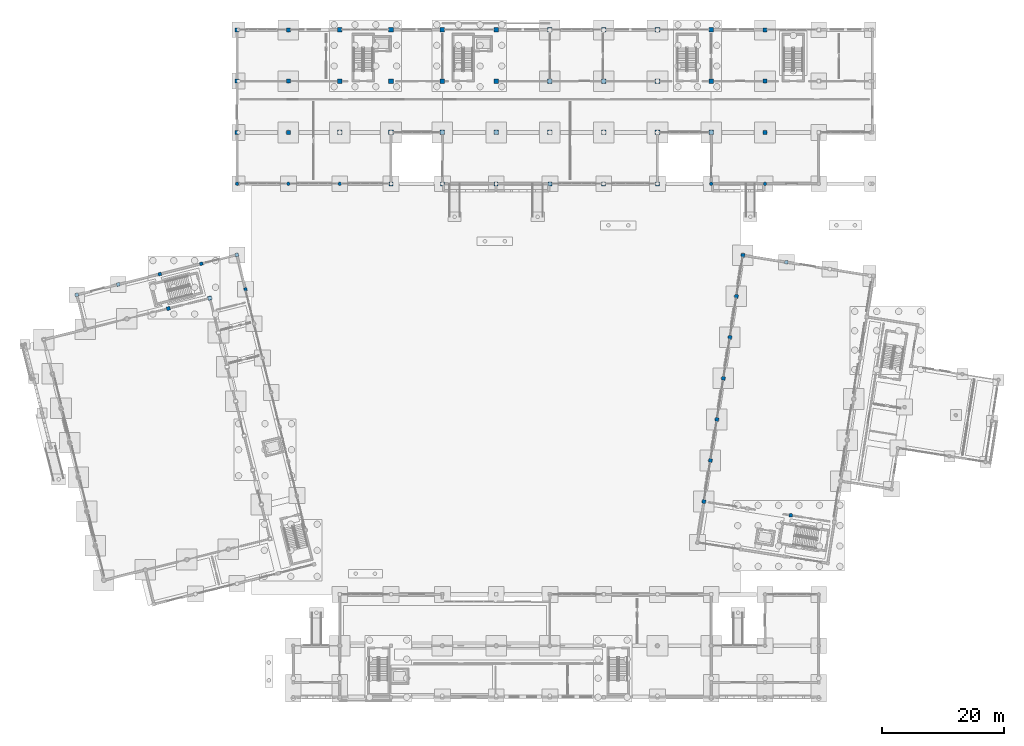
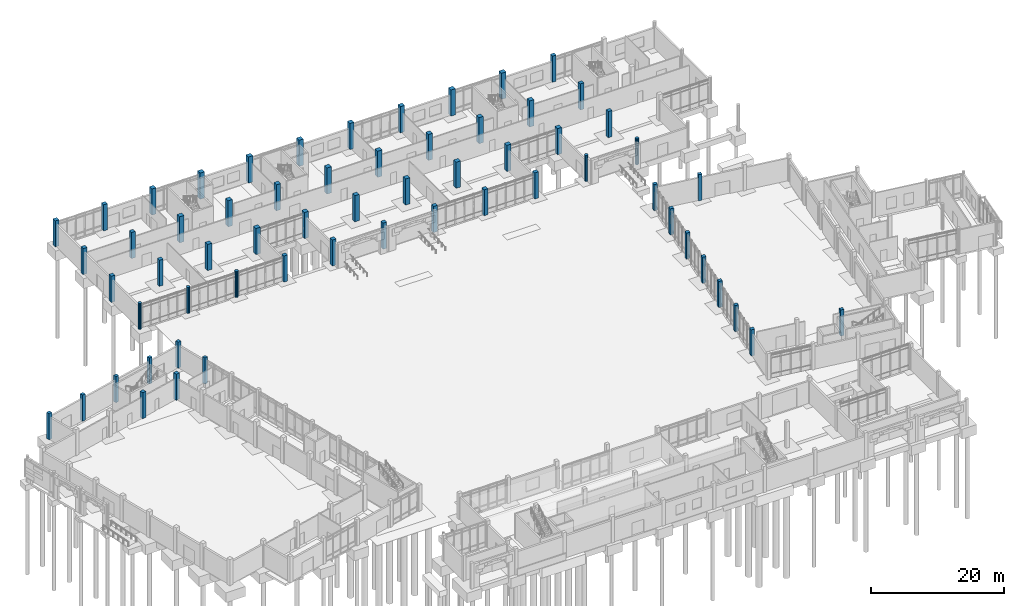
# One storey, part 6 of 72: 61 columns.
"""IFC4 building model written with IfcOpenShell, lengths in metres."""

import ifcopenshell
import ifcopenshell.guid

model = None  # the IFC model being written
_history = None  # IfcOwnerHistory: only IFC2X3 demands one
_inside = {}  # id of a spatial element -> (the spatial element, [elements in it])
_under = {}  # id of a project, library or spatial element -> (it, [spatial elements below it])
_declared = {}  # id of a project -> (the project, [libraries it declares])
_typed = {}  # id of a type object -> (the type object, [elements of that type])
_made_of = {}  # id of a material, layer set ... -> (it, [elements and type objects made of it])


def new_model(schema):
    """Start an empty IFC model of exactly this schema.

    Asked for "IFC4X3", IfcOpenShell would pick the latest addendum, in which some entities
    have other attributes; the version numbers below select the first issue.
    IFC2X3 requires an IfcOwnerHistory on every rooted entity: one is made here for all.
    """
    global model, _history
    if schema == "IFC4X3":
        model = ifcopenshell.file(schema_version=(4, 3, 0, 0))
    else:
        model = ifcopenshell.file(schema=schema)
    _inside.clear()
    _under.clear()
    _declared.clear()
    _typed.clear()
    _made_of.clear()
    _history = None
    if model.schema == "IFC2X3":
        org = make("IfcOrganization", Name="unknown")
        user = make(
            "IfcPersonAndOrganization",
            ThePerson=make("IfcPerson", FamilyName="unknown"),
            TheOrganization=org,
        )
        app = make(
            "IfcApplication",
            ApplicationDeveloper=org,
            Version="unknown",
            ApplicationFullName="unknown",
            ApplicationIdentifier="unknown",
        )
        _history = make(
            "IfcOwnerHistory",
            OwningUser=user,
            OwningApplication=app,
            ChangeAction="ADDED",
            CreationDate=0,
        )
    return model


def make(cls, **values):
    """One entity of the class cls with the attributes given. An attribute that is None is left unset."""
    return model.create_entity(
        cls, **{name: value for name, value in values.items() if value is not None}
    )


def rooted(cls, **values):
    """An entity with a GlobalId (a new one), such as an element, a storey or a relation."""
    return make(cls, GlobalId=ifcopenshell.guid.new(), OwnerHistory=_history, **values)


def si_unit(unit_type, name, prefix=None):
    """IfcSIUnit, for example si_unit("LENGTHUNIT", "METRE", prefix="MILLI")."""
    return make("IfcSIUnit", UnitType=unit_type, Prefix=prefix, Name=name)


def assignment(units):
    """IfcUnitAssignment: the units of a project."""
    return None if units is None else make("IfcUnitAssignment", Units=units)


def point(xyz):
    """IfcCartesianPoint."""
    return None if xyz is None else make("IfcCartesianPoint", Coordinates=xyz)


def direction(xyz):
    """IfcDirection."""
    return None if xyz is None else make("IfcDirection", DirectionRatios=xyz)


def frame(location, z_axis=None, x_axis=None):
    """IfcAxis2Placement3D, a coordinate frame: its origin and axes. An axis left out is left unset."""
    return make(
        "IfcAxis2Placement3D",
        Location=point(location),
        Axis=direction(z_axis),
        RefDirection=direction(x_axis),
    )


def frame_2d(location, x_axis=None):
    """IfcAxis2Placement2D, a coordinate frame in the plane: its origin and x axis."""
    return make(
        "IfcAxis2Placement2D", Location=point(location), RefDirection=direction(x_axis)
    )


def origin():
    """The frame at (0, 0, 0) with its axes left unset."""
    return frame((0.0, 0.0, 0.0))


def origin_2d():
    """The frame at (0, 0) in the plane with its x axis left unset."""
    return frame_2d((0.0, 0.0))


def place(relative_to, where):
    """IfcLocalPlacement: puts the frame where relative to a parent placement (None: the world)."""
    return make(
        "IfcLocalPlacement", PlacementRelTo=relative_to, RelativePlacement=where
    )


def context(
    kind, dimensions, precision=None, world=None, true_north=None, identifier=None
):
    """IfcGeometricRepresentationContext, for example the 3D "Model" context."""
    return make(
        "IfcGeometricRepresentationContext",
        ContextIdentifier=identifier,
        ContextType=kind,
        CoordinateSpaceDimension=dimensions,
        Precision=precision,
        WorldCoordinateSystem=world,
        TrueNorth=true_north,
    )


def subcontext(parent, identifier, kind, view, scale=None):
    """IfcGeometricRepresentationSubContext, for example "Body" below "Model"."""
    return make(
        "IfcGeometricRepresentationSubContext",
        ContextIdentifier=identifier,
        ContextType=kind,
        ParentContext=parent,
        TargetScale=scale,
        TargetView=view,
    )


def project(units=None, contexts=None):
    """IfcProject with its units and contexts."""
    return rooted(
        "IfcProject",
        Name="project",
        RepresentationContexts=contexts,
        UnitsInContext=assignment(units),
    )


def spatial(cls, under=None, at=None, **own):
    """A site, building, storey or space (cls), placed at a placement, below another one or the project."""
    s = rooted(cls, ObjectPlacement=at, **own)
    if under is not None:
        _under.setdefault(under.id(), (under, []))[1].append(s)
    return s


def profile(cls, at=None, kind="AREA", **sizes):
    """A parametric profile (cls). Its sizes go by their IFC names, for example OverallWidth=200.0."""
    return make(cls, ProfileType=kind, Position=at, **sizes)


def rectangle(**sizes):
    """IfcRectangleProfileDef."""
    return profile("IfcRectangleProfileDef", **sizes)


def circle(**sizes):
    """IfcCircleProfileDef."""
    return profile("IfcCircleProfileDef", **sizes)


def extrude(swept, where, along, depth):
    """IfcExtrudedAreaSolid: the profile swept, set in the frame where, extruded along a direction by depth."""
    return make(
        "IfcExtrudedAreaSolid",
        SweptArea=swept,
        Position=where,
        ExtrudedDirection=direction(along),
        Depth=depth,
    )


def shape(context_of_items, identifier, shape_type, items):
    """IfcShapeRepresentation: the items that make up one representation, for example the "Body"."""
    return make(
        "IfcShapeRepresentation",
        ContextOfItems=context_of_items,
        RepresentationIdentifier=identifier,
        RepresentationType=shape_type,
        Items=items,
    )


def material(Name=None, Category=None):
    """IfcMaterial."""
    return make("IfcMaterial", Name=Name, Category=Category)


def material_profile(
    of_material, cross_section, Name=None, Category=None, Priority=None
):
    """IfcMaterialProfile: a cross section and its material."""
    return make(
        "IfcMaterialProfile",
        Name=Name,
        Material=of_material,
        Profile=cross_section,
        Priority=Priority,
        Category=Category,
    )


def profile_set(profiles, Name=None, composite=None):
    """IfcMaterialProfileSet."""
    return make(
        "IfcMaterialProfileSet",
        Name=Name,
        MaterialProfiles=profiles,
        CompositeProfile=composite,
    )


def made_of(thing, what):
    """Note that an element or type object is made of a material, layer set ...; save() writes the relation."""
    if what is not None:
        _made_of.setdefault(what.id(), (what, []))[1].append(thing)
    return thing


def type_object(cls, material=None, **own):
    """A type object (cls), such as IfcWallType, which elements share."""
    return made_of(rooted(cls, **own), material)


def element(
    cls,
    number,
    at=None,
    inside=None,
    cuts=None,
    type_object=None,
    material=None,
    context=None,
    identifier="Body",
    shape_type=None,
    held_by="IfcProductDefinitionShape",
    body=None,
    shapes=None,
    **own,
):
    """One element of the class cls, such as IfcWall. Its Tag is "e" and its number.

    at: its placement. inside: the storey or other place that contains it. cuts: it is an
    opening in that element (IfcRelVoidsElement). A single representation is given by context,
    identifier, shape_type and body (its items); several are given by shapes. held_by: the class
    of the entity that holds the representations. save() writes the other relations.
    """
    e = rooted(cls, Tag="e%d" % number, ObjectPlacement=at, **own)
    if body is not None:
        shapes = [shape(context, identifier, shape_type, body)]
    if shapes is not None:
        e.Representation = make(held_by, Representations=shapes)
    if inside is not None:
        _inside.setdefault(inside.id(), (inside, []))[1].append(e)
    if cuts is not None:
        rooted(
            "IfcRelVoidsElement", RelatingBuildingElement=cuts, RelatedOpeningElement=e
        )
    if type_object is not None:
        _typed.setdefault(type_object.id(), (type_object, []))[1].append(e)
    return made_of(e, material)


def aggregate(whole, parts):
    """IfcRelAggregates: a whole, such as a stair, and the parts it consists of."""
    return rooted("IfcRelAggregates", RelatingObject=whole, RelatedObjects=parts)


def save(model, path):
    """Write the relations noted so far, then the file.

    IfcRelAggregates (storeys below a building ...), IfcRelContainedInSpatialStructure (elements
    in a storey), IfcRelDefinesByType, IfcRelAssociatesMaterial and IfcRelDeclares: one each for
    every whole, place, type object, material and project.
    """
    for whole, parts in _under.values():
        aggregate(whole, parts)
    for where, things in _inside.values():
        rooted(
            "IfcRelContainedInSpatialStructure",
            RelatedElements=things,
            RelatingStructure=where,
        )
    for kind, things in _typed.values():
        rooted("IfcRelDefinesByType", RelatedObjects=things, RelatingType=kind)
    for what, things in _made_of.values():
        rooted("IfcRelAssociatesMaterial", RelatedObjects=things, RelatingMaterial=what)
    for by, libraries in _declared.values():
        rooted("IfcRelDeclares", RelatingContext=by, RelatedDefinitions=libraries)
    model.write(path)


model = new_model("IFC4")

# Units and contexts
model_context = context("Model", 3, precision=1e-05, world=origin(), true_north=direction((0.0, 1.0)))
body_context = subcontext(model_context, "Body", "Model", "MODEL_VIEW")
ifc_project = project(units=[si_unit("LENGTHUNIT", "METRE"), si_unit("AREAUNIT", "SQUARE_METRE"), si_unit("VOLUMEUNIT", "CUBIC_METRE"), si_unit("PLANEANGLEUNIT", "RADIAN"), si_unit("MASSUNIT", "GRAM", prefix="KILO")], contexts=[model_context])

# Site, building, storey
site_placement = place(None, origin())
site = spatial("IfcSite", under=ifc_project, at=site_placement, CompositionType="ELEMENT")
building_placement = place(site_placement, origin())
building = spatial("IfcBuilding", under=site, at=building_placement, Name="Cinderway Yard Community Centre", CompositionType="ELEMENT")
storey_placement = place(building_placement, origin())
storey = spatial("IfcBuildingStorey", under=building, at=storey_placement, Name="L00", CompositionType="ELEMENT", Elevation=0.0)

# Columns
ifc_material = material(Name="Concrete C40/50", Category="concrete")
ifc_material_profile_1 = material_profile(ifc_material, rectangle(XDim=0.5, YDim=0.5, at=origin_2d()), Name="Concrete C40/50")
ifc_profile_set_1 = profile_set([ifc_material_profile_1], Name="Concrete C40/50")
column_type_1 = type_object("IfcColumnType", Name="STR-COL-RC500", PredefinedType="COLUMN", material=ifc_profile_set_1)
column_placement = place(storey_placement, frame((42.97705078125, 72.736083984375, 0.0), z_axis=(0.0, 0.0, 1.0), x_axis=(0.970295726276, 0.2419218956, 0.0)))
element("IfcColumn", 1, at=column_placement, inside=storey, type_object=column_type_1, Name="Column V1-C-G08 L00", PredefinedType="COLUMN", context=body_context, shape_type="SweptSolid", body=[
    extrude(rectangle(XDim=0.5, YDim=0.5, at=origin_2d()), origin(), (0.0, 0.0, 1.0), 4.800048828125),
])
ifc_material_profile_2 = material_profile(ifc_material, rectangle(XDim=0.550048828125, YDim=0.550048828125, at=origin_2d()), Name="Concrete C40/50")
ifc_profile_set_2 = profile_set([ifc_material_profile_2], Name="Concrete C40/50")
column_type_2 = type_object("IfcColumnType", Name="STR-COL-RC550", PredefinedType="COLUMN", material=ifc_profile_set_2)
for number, where, z_axis, x_axis, name in (
    (2, (15.3759765625, 71.83203125, 0.0), (0.0, 0.0, 1.0), (0.970295726276, 0.2419218956, 0.0), "Column V1-CN-07 L00"),
    (3, (22.16796875, 73.52490234375, 0.0), (0.0, 0.0, 1.0), (0.970295726276, 0.2419218956, 0.0), "Column V1-CN-14 L00"),
    (4, (28.9599609375, 75.218994140625, 0.0), (0.0, 0.0, 1.0), (0.970295726276, 0.2419218956, 0.0), "Column V1-CN-21 L00"),
    (5, (35.7529296875, 76.912109375, 0.0), (0.0, 0.0, 1.0), (0.970295726276, 0.2419218956, 0.0), "Column V1-CN-28 L00"),
    (6, (41.573974609375, 78.364013671875, 0.0), (0.0, 0.0, 1.0), (0.970295726276, 0.2419218956, 0.0), "Column V1-CN-34 L00"),
    (7, (132.222900390625, 35.7470703125, 0.0), (0.0, 0.0, 1.0), (0.987688340595, -0.15643446504, 0.0), "Column V2-GS-144 L00"),
    (8, (131.493896484375, 77.1708984375, 0.0), (0.0, 0.0, 1.0), (0.987688340595, -0.15643446504, 0.0), "Column V2-GN-072 L00"),
):
    element("IfcColumn", number, at=place(storey_placement, frame(where, z_axis=z_axis, x_axis=x_axis)), inside=storey, type_object=column_type_2, Name=name, PredefinedType="COLUMN", context=body_context, shape_type="SweptSolid", body=[
        extrude(rectangle(XDim=0.550048828125, YDim=0.550048828125, at=origin_2d()), origin(), (0.0, 0.0, 1.0), 4.800048828125),
    ])
ifc_material_profile_3 = material_profile(ifc_material, rectangle(XDim=0.60009765625, YDim=0.60009765625, at=origin_2d()), Name="Concrete C40/50")
ifc_profile_set_3 = profile_set([ifc_material_profile_3], Name="Concrete C40/50")
column_type_3 = type_object("IfcColumnType", Name="STR-COL-RC600", PredefinedType="COLUMN", material=ifc_profile_set_3)
for number, where, z_axis, x_axis, name in (
    (9, (30.364013671875, 69.591064453125, 0.0), (0.0, 0.0, 1.0), (0.970295726276, 0.2419218956, 0.0), "Column V1-GN-21 L00"),
    (10, (118.0, 38.0, 0.0), (0.0, 0.0, 1.0), (0.987688340595, -0.15643446504, 0.0), "Column V2-C-W01 L00"),
    (11, (119.06396484375, 44.716064453125, 0.0), (0.0, 0.0, 1.0), (0.987688340595, -0.15643446504, 0.0), "Column V2-C-W02 L00"),
    (12, (120.1279296875, 51.43310546875, 0.0), (0.0, 0.0, 1.0), (0.987688340595, -0.15643446504, 0.0), "Column V2-C-W03 L00"),
    (13, (121.19091796875, 58.14892578125, 0.0), (0.0, 0.0, 1.0), (0.987688340595, -0.15643446504, 0.0), "Column V2-C-W04 L00"),
    (14, (122.2548828125, 64.864990234375, 0.0), (0.0, 0.0, 1.0), (0.987688340595, -0.15643446504, 0.0), "Column V2-C-W05 L00"),
    (15, (123.319091796875, 71.5810546875, 0.0), (0.0, 0.0, 1.0), (0.987688340595, -0.15643446504, 0.0), "Column V2-C-W06 L00"),
    (16, (124.383056640625, 78.298095703125, 0.0), (0.0, 0.0, 1.0), (0.987688340595, -0.15643446504, 0.0), "Column V2-C-W07 L00"),
):
    element("IfcColumn", number, at=place(storey_placement, frame(where, z_axis=z_axis, x_axis=x_axis)), inside=storey, type_object=column_type_3, Name=name, PredefinedType="COLUMN", context=body_context, shape_type="SweptSolid", body=[
        extrude(rectangle(XDim=0.60009765625, YDim=0.60009765625, at=origin_2d()), origin(), (0.0, 0.0, 1.0), 4.800048828125),
    ])
ifc_material_profile_4 = material_profile(ifc_material, rectangle(XDim=0.64990234375, YDim=0.64990234375, at=origin_2d()), Name="Concrete C40/50")
ifc_profile_set_4 = profile_set([ifc_material_profile_4], Name="Concrete C40/50")
column_type_4 = type_object("IfcColumnType", Name="STR-COL-RC650", PredefinedType="COLUMN", material=ifc_profile_set_4)
for number, where, z_axis, x_axis, name in (
    (17, (37.156005859375, 71.284912109375, 0.0), (0.0, 0.0, 1.0), (0.970295726276, 0.2419218956, 0.0), "Column V1-C-E08 L00"),
    (18, (41.60009765625, 98.39990234375, 0.0), (0.0, 0.0, 1.0), (1.0, 0.0, 0.0), "Column V4-C-01-2 L00"),
    (19, (41.60009765625, 106.800048828125, 0.0), (0.0, 0.0, 1.0), (1.0, 0.0, 0.0), "Column V4-C-01-3 L00"),
    (20, (41.60009765625, 115.199951171875, 0.0), (0.0, 0.0, 1.0), (1.0, 0.0, 0.0), "Column V4-C-01-4 L00"),
    (21, (50.0, 98.39990234375, 0.0), (0.0, 0.0, 1.0), (1.0, 0.0, 0.0), "Column V4-C-02-2 L00"),
    (22, (50.0, 106.800048828125, 0.0), (0.0, 0.0, 1.0), (1.0, 0.0, 0.0), "Column V4-C-02-3 L00"),
    (23, (50.0, 115.199951171875, 0.0), (0.0, 0.0, 1.0), (1.0, 0.0, 0.0), "Column V4-C-02-4 L00"),
    (24, (66.800048828125, 90.0, 0.0), (0.0, 0.0, 1.0), (1.0, 0.0, 0.0), "Column V4-C-04-1 L00"),
    (25, (75.199951171875, 90.0, 0.0), (0.0, 0.0, 1.0), (1.0, 0.0, 0.0), "Column V4-C-05-1 L00"),
    (26, (84.0, 90.0, 0.0), (0.0, 0.0, 1.0), (1.0, 0.0, 0.0), "Column V4-C-06-1 L00"),
    (27, (92.800048828125, 90.0, 0.0), (0.0, 0.0, 1.0), (1.0, 0.0, 0.0), "Column V4-C-07-1 L00"),
    (28, (101.60009765625, 90.0, 0.0), (0.0, 0.0, 1.0), (1.0, 0.0, 0.0), "Column V4-C-08-1 L00"),
    (29, (110.39990234375, 90.0, 0.0), (0.0, 0.0, 1.0), (1.0, 0.0, 0.0), "Column V4-C-09-1 L00"),
    (30, (128.0, 98.39990234375, 0.0), (0.0, 0.0, 1.0), (1.0, 0.0, 0.0), "Column V4-C-11-2 L00"),
    (31, (128.0, 106.800048828125, 0.0), (0.0, 0.0, 1.0), (1.0, 0.0, 0.0), "Column V4-C-11-3 L00"),
    (32, (128.0, 115.199951171875, 0.0), (0.0, 0.0, 1.0), (1.0, 0.0, 0.0), "Column V4-C-11-4 L00"),
):
    element("IfcColumn", number, at=place(storey_placement, frame(where, z_axis=z_axis, x_axis=x_axis)), inside=storey, type_object=column_type_4, Name=name, PredefinedType="COLUMN", context=body_context, shape_type="SweptSolid", body=[
        extrude(rectangle(XDim=0.64990234375, YDim=0.64990234375, at=origin_2d()), origin(), (0.0, 0.0, 1.0), 4.800048828125),
    ])
ifc_material_profile_5 = material_profile(ifc_material, rectangle(XDim=0.75, YDim=0.75, at=origin_2d()), Name="Concrete C40/50")
ifc_profile_set_5 = profile_set([ifc_material_profile_5], Name="Concrete C40/50")
column_type_5 = type_object("IfcColumnType", Name="STR-COL-RC750", PredefinedType="COLUMN", material=ifc_profile_set_5)
for number, where, z_axis, x_axis, name in (
    (33, (58.39990234375, 98.39990234375, 0.0), (0.0, 0.0, 1.0), (1.0, 0.0, 0.0), "Column V4-C-03-2 L00"),
    (34, (58.39990234375, 106.800048828125, 0.0), (0.0, 0.0, 1.0), (1.0, 0.0, 0.0), "Column V4-C-03-3 L00"),
    (35, (58.39990234375, 115.199951171875, 0.0), (0.0, 0.0, 1.0), (1.0, 0.0, 0.0), "Column V4-C-03-4 L00"),
    (36, (66.800048828125, 98.39990234375, 0.0), (0.0, 0.0, 1.0), (1.0, 0.0, 0.0), "Column V4-C-04-2 L00"),
    (37, (66.800048828125, 106.800048828125, 0.0), (0.0, 0.0, 1.0), (1.0, 0.0, 0.0), "Column V4-C-04-3 L00"),
    (38, (66.800048828125, 115.199951171875, 0.0), (0.0, 0.0, 1.0), (1.0, 0.0, 0.0), "Column V4-C-04-4 L00"),
    (39, (75.199951171875, 98.39990234375, 0.0), (0.0, 0.0, 1.0), (1.0, 0.0, 0.0), "Column V4-C-05-2 L00"),
    (40, (75.199951171875, 106.800048828125, 0.0), (0.0, 0.0, 1.0), (1.0, 0.0, 0.0), "Column V4-C-05-3 L00"),
    (41, (75.199951171875, 115.199951171875, 0.0), (0.0, 0.0, 1.0), (1.0, 0.0, 0.0), "Column V4-C-05-4 L00"),
    (42, (84.0, 98.39990234375, 0.0), (0.0, 0.0, 1.0), (1.0, 0.0, 0.0), "Column V4-C-06-2 L00"),
    (43, (84.0, 106.800048828125, 0.0), (0.0, 0.0, 1.0), (1.0, 0.0, 0.0), "Column V4-C-06-3 L00"),
    (44, (84.0, 115.199951171875, 0.0), (0.0, 0.0, 1.0), (1.0, 0.0, 0.0), "Column V4-C-06-4 L00"),
    (45, (92.800048828125, 98.39990234375, 0.0), (0.0, 0.0, 1.0), (1.0, 0.0, 0.0), "Column V4-C-07-2 L00"),
    (46, (92.800048828125, 106.800048828125, 0.0), (0.0, 0.0, 1.0), (1.0, 0.0, 0.0), "Column V4-C-07-3 L00"),
    (47, (92.800048828125, 115.199951171875, 0.0), (0.0, 0.0, 1.0), (1.0, 0.0, 0.0), "Column V4-C-07-4 L00"),
    (48, (101.60009765625, 98.39990234375, 0.0), (0.0, 0.0, 1.0), (1.0, 0.0, 0.0), "Column V4-C-08-2 L00"),
    (49, (101.60009765625, 106.800048828125, 0.0), (0.0, 0.0, 1.0), (1.0, 0.0, 0.0), "Column V4-C-08-3 L00"),
    (50, (101.60009765625, 115.199951171875, 0.0), (0.0, 0.0, 1.0), (1.0, 0.0, 0.0), "Column V4-C-08-4 L00"),
    (51, (110.39990234375, 98.39990234375, 0.0), (0.0, 0.0, 1.0), (1.0, 0.0, 0.0), "Column V4-C-09-2 L00"),
    (52, (110.39990234375, 106.800048828125, 0.0), (0.0, 0.0, 1.0), (1.0, 0.0, 0.0), "Column V4-C-09-3 L00"),
    (53, (110.39990234375, 115.199951171875, 0.0), (0.0, 0.0, 1.0), (1.0, 0.0, 0.0), "Column V4-C-09-4 L00"),
    (54, (119.199951171875, 98.39990234375, 0.0), (0.0, 0.0, 1.0), (1.0, 0.0, 0.0), "Column V4-C-10-2 L00"),
    (55, (119.199951171875, 106.800048828125, 0.0), (0.0, 0.0, 1.0), (1.0, 0.0, 0.0), "Column V4-C-10-3 L00"),
    (56, (119.199951171875, 115.199951171875, 0.0), (0.0, 0.0, 1.0), (1.0, 0.0, 0.0), "Column V4-C-10-4 L00"),
):
    element("IfcColumn", number, at=place(storey_placement, frame(where, z_axis=z_axis, x_axis=x_axis)), inside=storey, type_object=column_type_5, Name=name, PredefinedType="COLUMN", context=body_context, shape_type="SweptSolid", body=[
        extrude(rectangle(XDim=0.75, YDim=0.75, at=origin_2d()), origin(), (0.0, 0.0, 1.0), 4.800048828125),
    ])
ifc_material_profile_6 = material_profile(ifc_material, circle(Radius=0.27490234375, at=origin_2d()), Name="Concrete C40/50")
ifc_profile_set_6 = profile_set([ifc_material_profile_6], Name="Concrete C40/50")
column_type_6 = type_object("IfcColumnType", Name="STR-COL-RCD550", PredefinedType="PILASTER", material=ifc_profile_set_6)
for number, where, z_axis, x_axis, name in (
    (57, (41.60009765625, 90.0, 0.0), (0.0, 0.0, 1.0), (1.0, 0.0, 0.0), "Column V4-C-01-1 L00"),
    (58, (50.0, 90.0, 0.0), (0.0, 0.0, 1.0), (1.0, 0.0, 0.0), "Column V4-C-02-1 L00"),
    (59, (58.39990234375, 90.0, 0.0), (0.0, 0.0, 1.0), (1.0, 0.0, 0.0), "Column V4-C-03-1 L00"),
    (60, (119.199951171875, 90.0, 0.0), (0.0, 0.0, 1.0), (1.0, 0.0, 0.0), "Column V4-C-10-1 L00"),
    (61, (128.0, 90.0, 0.0), (0.0, 0.0, 1.0), (1.0, 0.0, 0.0), "Column V4-C-11-1 L00"),
):
    element("IfcColumn", number, at=place(storey_placement, frame(where, z_axis=z_axis, x_axis=x_axis)), inside=storey, type_object=column_type_6, Name=name, PredefinedType="PILASTER", context=body_context, shape_type="SweptSolid", body=[
        extrude(circle(Radius=0.27490234375, at=origin_2d()), origin(), (0.0, 0.0, 1.0), 4.800048828125),
    ])

save(model, "model.ifc")
